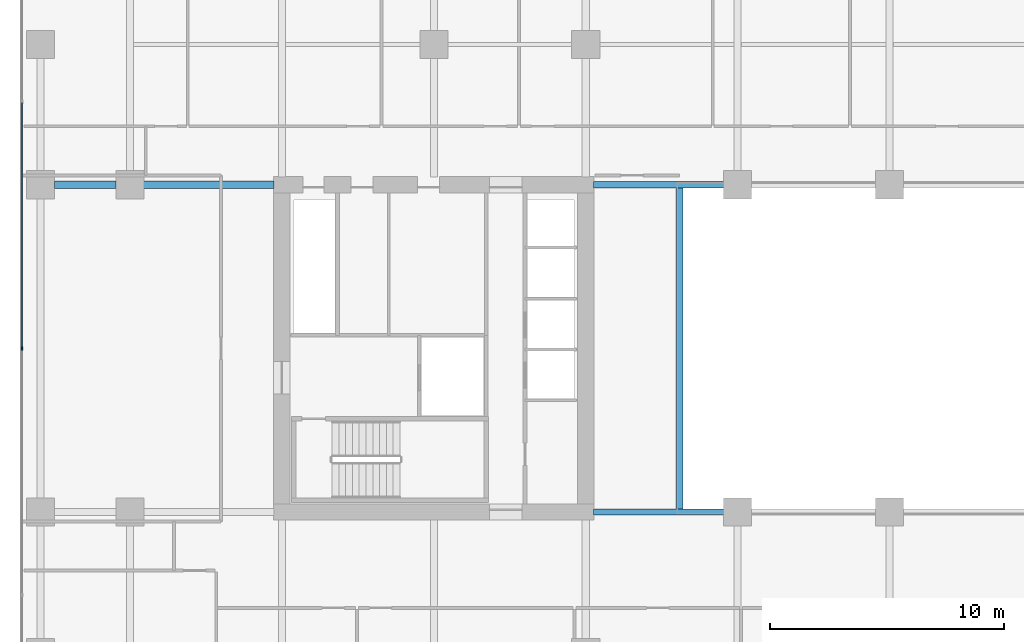
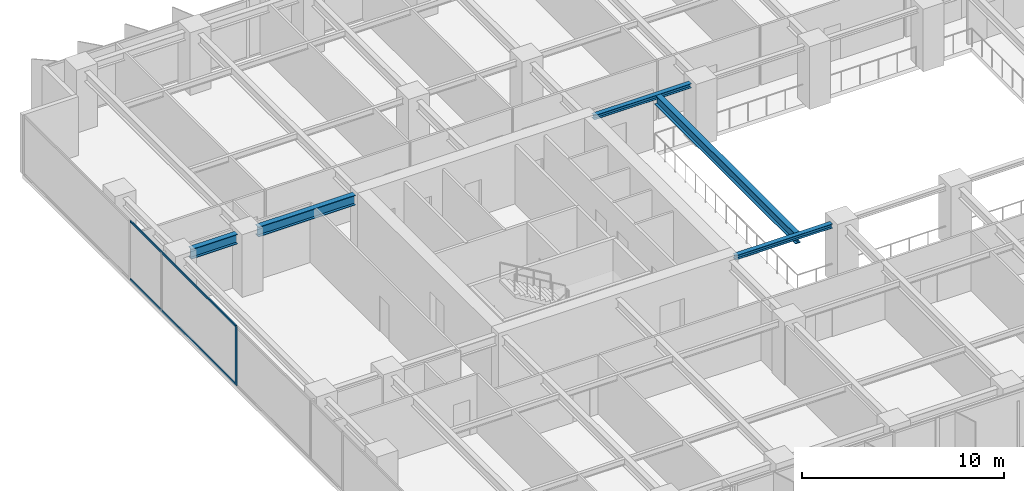
# One storey, part 4 of 20: 5 beams, 3 members, 1 element without a shape of its own.
"""IFC4 building model written with IfcOpenShell, lengths in metres."""

from ifc_helpers import new_model, si_unit, direction, frame, origin, origin_2d, place, context, subcontext, project, spatial, rectangle, i_section, extrude, material, layer, layer_set, material_profile, profile_set, type_object, element, aggregate, save


model = new_model("IFC4")

# Units and contexts
model_context = context("Model", 3, precision=1e-05, world=origin(), true_north=direction((0.0, 1.0)))
body_context = subcontext(model_context, "Body", "Model", "MODEL_VIEW")
ifc_project = project(units=[si_unit("LENGTHUNIT", "METRE"), si_unit("AREAUNIT", "SQUARE_METRE"), si_unit("VOLUMEUNIT", "CUBIC_METRE"), si_unit("PLANEANGLEUNIT", "RADIAN"), si_unit("MASSUNIT", "GRAM", prefix="KILO")], contexts=[model_context])

# Site, building, storey
site_placement = place(None, origin())
site = spatial("IfcSite", under=ifc_project, at=site_placement, CompositionType="ELEMENT")
building_placement = place(site_placement, origin())
building = spatial("IfcBuilding", under=site, at=building_placement, Name="Putna Gate Headquarters", CompositionType="ELEMENT")
storey_placement = place(building_placement, frame((0.0, 0.0, 127.800048828125)))
storey = spatial("IfcBuildingStorey", under=building, at=storey_placement, Name="L31", CompositionType="ELEMENT", Elevation=127.800048828125)

# Beams
ifc_material_1 = material(Name="Steel S355J2", Category="steel")
ifc_material_profile_1 = material_profile(ifc_material_1, i_section(OverallWidth=0.260009765625, OverallDepth=0.260009765625, WebThickness=0.010009765625, FlangeThickness=0.017578125, at=origin_2d()), Name="Steel S355J2")
ifc_profile_set_1 = profile_set([ifc_material_profile_1], Name="Steel S355J2")
beam_type_1 = type_object("IfcBeamType", Name="BM-ATRIUM-HEB260", PredefinedType="BEAM", material=ifc_profile_set_1)
for number, where, z_axis, x_axis, name in (
    (1, (26.3349609375, 19.0, 3.43505859375), (1.0, 0.0, 0.0), (0.0, 1.0, 0.0), "L31 Atrium Edge Beam AS1"),
    (2, (26.3349609375, 33.0, 3.43505859375), (1.0, 0.0, 0.0), (0.0, 1.0, 0.0), "L31 Atrium Edge Beam AN1"),
):
    element("IfcBeam", number, at=place(storey_placement, frame(where, z_axis=z_axis, x_axis=x_axis)), inside=storey, type_object=beam_type_1, Name=name, PredefinedType="BEAM", context=body_context, shape_type="SweptSolid", body=[
        extrude(i_section(OverallWidth=0.260009765625, OverallDepth=0.260009765625, WebThickness=0.010009765625, FlangeThickness=0.017578125, at=origin_2d()), origin(), (0.0, 0.0, 1.0), 5.5771484375),
    ])
ifc_material_profile_2 = material_profile(ifc_material_1, i_section(OverallWidth=0.300048828125, OverallDepth=0.60009765625, WebThickness=0.015380859375, FlangeThickness=0.030029296875, at=origin_2d()), Name="Steel S355J2")
ifc_profile_set_2 = profile_set([ifc_material_profile_2], Name="Steel S355J2")
beam_type_2 = type_object("IfcBeamType", Name="BM-GIRD-Z2-HEB600", PredefinedType="USERDEFINED", material=ifc_profile_set_2)
beam_1_placement = place(storey_placement, frame((3.26806640625, 33.0, 3.264892578125), z_axis=(1.0, 0.0, 0.0), x_axis=(0.0, 1.0, 0.0)))
element("IfcBeam", 3, at=beam_1_placement, inside=storey, type_object=beam_type_2, Name="L31 West Wing Girder Y33-1", ObjectType="GIRDER", PredefinedType="USERDEFINED", context=body_context, shape_type="SweptSolid", body=[
    extrude(i_section(OverallWidth=0.300048828125, OverallDepth=0.60009765625, WebThickness=0.015380859375, FlangeThickness=0.030029296875, at=origin_2d()), origin(), (0.0, 0.0, 1.0), 2.64404296875),
])
beam_2_placement = place(storey_placement, frame((7.087890625, 33.0, 3.264892578125), z_axis=(1.0, 0.0, 0.0), x_axis=(0.0, 1.0, 0.0)))
element("IfcBeam", 4, at=beam_2_placement, inside=storey, type_object=beam_type_2, Name="L31 West Wing Girder Y33-2", ObjectType="GIRDER", PredefinedType="USERDEFINED", context=body_context, shape_type="SweptSolid", body=[
    extrude(i_section(OverallWidth=0.300048828125, OverallDepth=0.60009765625, WebThickness=0.015380859375, FlangeThickness=0.030029296875, at=origin_2d()), origin(), (0.0, 0.0, 1.0), 5.5771484375),
])
beam_3_placement = place(storey_placement, frame((30.0, 19.010009765625, 3.264892578125), z_axis=(0.0, 1.0, 0.0), x_axis=(-1.0, 0.0, 0.0)))
element("IfcBeam", 5, at=beam_3_placement, inside=storey, type_object=beam_type_2, Name="L31 Atrium Trim Girder AW", ObjectType="GIRDER", PredefinedType="USERDEFINED", context=body_context, shape_type="SweptSolid", body=[
    extrude(i_section(OverallWidth=0.300048828125, OverallDepth=0.60009765625, WebThickness=0.015380859375, FlangeThickness=0.030029296875, at=origin_2d()), origin(), (0.0, 0.0, 1.0), 13.97998046875),
])

# Curtain wall, members
ifc_material_2 = material(Name="Anodised bronze aluminium curtain wall", Category="aluminium")
ifc_layer = layer(ifc_material_2, 0.159912109375)
ifc_layer_set = layer_set([ifc_layer], Name="Anodised bronze aluminium curtain wall")
curtain_wall_type = type_object("IfcCurtainWallType", Name="CW-SYS-Z2", PredefinedType="USERDEFINED", material=ifc_layer_set)
curtain_wall_placement = place(storey_placement, origin())
curtain_wall = element("IfcCurtainWall", 6, at=curtain_wall_placement, inside=storey, type_object=curtain_wall_type, Name="L31 West Curtain Wall", ObjectType="STICK CURTAIN WALL", PredefinedType="USERDEFINED")
ifc_material_3 = material(Name="Anodised bronze aluminium EN AW-6060", Category="aluminium")
ifc_material_profile_3 = material_profile(ifc_material_3, rectangle(XDim=0.06494140625, YDim=0.159912109375, at=origin_2d()), Name="Anodised bronze aluminium EN AW-6060")
ifc_profile_set_3 = profile_set([ifc_material_profile_3], Name="Anodised bronze aluminium EN AW-6060")
member_type_1 = type_object("IfcMemberType", Name="MULL-CWM-2", PredefinedType="MULLION", material=ifc_profile_set_3)
member_1_placement = place(storey_placement, frame((1.8798828125, 26.0, 0.0), z_axis=(0.0, 0.0, 1.0), x_axis=(-1.0, 0.0, 0.0)))
member_1 = element("IfcMember", 7, at=member_1_placement, type_object=member_type_1, Name="CWS-2 mullion 3", PredefinedType="MULLION", context=body_context, shape_type="SweptSolid", body=[
    extrude(rectangle(XDim=0.06494140625, YDim=0.159912109375, at=origin_2d()), origin(), (0.0, 0.0, 1.0), 3.56494140625),
])
ifc_material_profile_4 = material_profile(ifc_material_3, rectangle(XDim=0.06494140625, YDim=0.1201171875, at=origin_2d()), Name="Anodised bronze aluminium EN AW-6060")
ifc_profile_set_4 = profile_set([ifc_material_profile_4], Name="Anodised bronze aluminium EN AW-6060")
member_type_2 = type_object("IfcMemberType", Name="TRAN-CWT-2", PredefinedType="USERDEFINED", material=ifc_profile_set_4)
member_2_placement = place(storey_placement, frame((1.8798828125, 26.032470703125, 0.032470703125), z_axis=(0.0, 1.0, 0.0), x_axis=(-1.0, 0.0, 0.0)))
member_2 = element("IfcMember", 8, at=member_2_placement, type_object=member_type_2, Name="CWS-2 transom 3.1", ObjectType="TRANSOM", PredefinedType="USERDEFINED", context=body_context, shape_type="SweptSolid", body=[
    extrude(rectangle(XDim=0.06494140625, YDim=0.1201171875, at=origin_2d()), origin(), (0.0, 0.0, 1.0), 10.485107421875),
])
member_3_placement = place(storey_placement, frame((1.8798828125, 26.032470703125, 3.532470703125), z_axis=(0.0, 1.0, 0.0), x_axis=(-1.0, 0.0, 0.0)))
member_3 = element("IfcMember", 9, at=member_3_placement, type_object=member_type_2, Name="CWS-2 transom 3.2", ObjectType="TRANSOM", PredefinedType="USERDEFINED", context=body_context, shape_type="SweptSolid", body=[
    extrude(rectangle(XDim=0.06494140625, YDim=0.1201171875, at=origin_2d()), origin(), (0.0, 0.0, 1.0), 10.485107421875),
])
aggregate(curtain_wall, [member_1, member_2, member_3])

save(model, "model.ifc")
